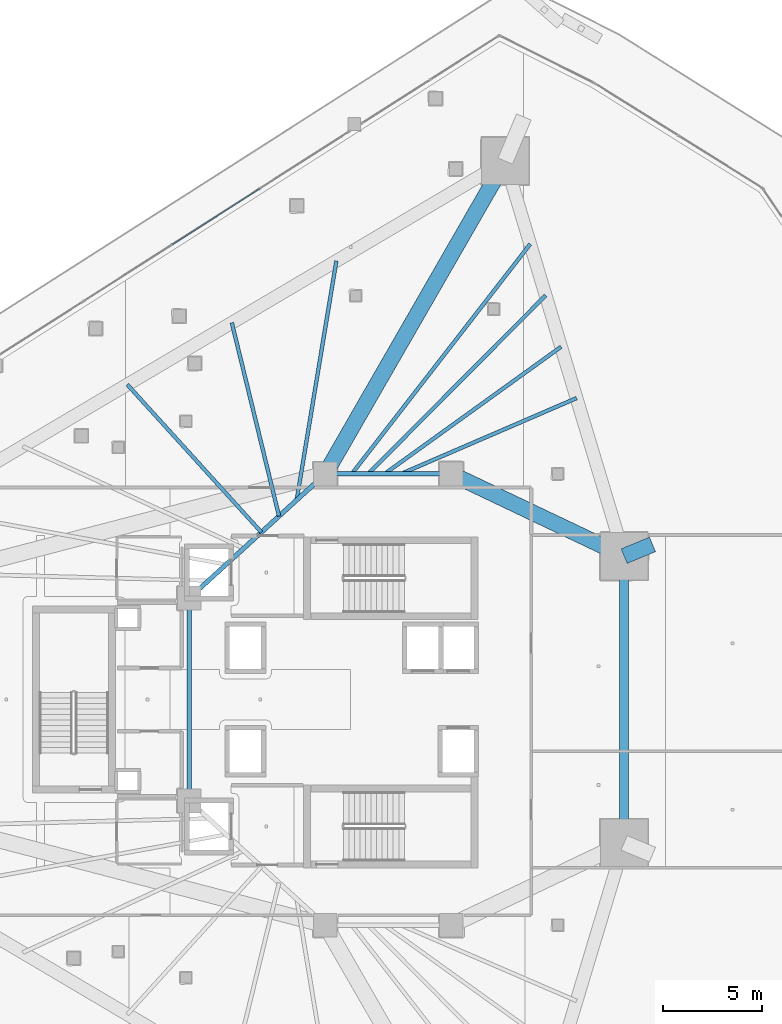
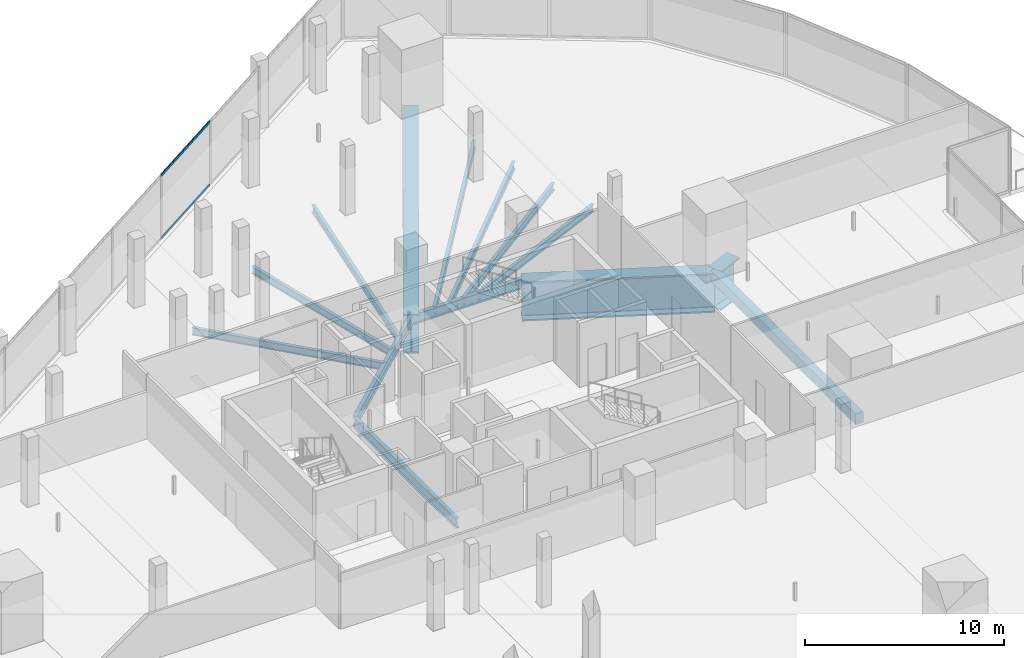
# One storey, part 19 of 42: 14 beams, 2 members, 1 element without a shape of its own.
"""IFC4 building model written with IfcOpenShell, lengths in metres."""

import ifcopenshell
import ifcopenshell.guid

model = None  # the IFC model being written
_history = None  # IfcOwnerHistory: only IFC2X3 demands one
_inside = {}  # id of a spatial element -> (the spatial element, [elements in it])
_under = {}  # id of a project, library or spatial element -> (it, [spatial elements below it])
_declared = {}  # id of a project -> (the project, [libraries it declares])
_typed = {}  # id of a type object -> (the type object, [elements of that type])
_made_of = {}  # id of a material, layer set ... -> (it, [elements and type objects made of it])


def new_model(schema):
    """Start an empty IFC model of exactly this schema.

    Asked for "IFC4X3", IfcOpenShell would pick the latest addendum, in which some entities
    have other attributes; the version numbers below select the first issue.
    IFC2X3 requires an IfcOwnerHistory on every rooted entity: one is made here for all.
    """
    global model, _history
    if schema == "IFC4X3":
        model = ifcopenshell.file(schema_version=(4, 3, 0, 0))
    else:
        model = ifcopenshell.file(schema=schema)
    _inside.clear()
    _under.clear()
    _declared.clear()
    _typed.clear()
    _made_of.clear()
    _history = None
    if model.schema == "IFC2X3":
        org = make("IfcOrganization", Name="unknown")
        user = make(
            "IfcPersonAndOrganization",
            ThePerson=make("IfcPerson", FamilyName="unknown"),
            TheOrganization=org,
        )
        app = make(
            "IfcApplication",
            ApplicationDeveloper=org,
            Version="unknown",
            ApplicationFullName="unknown",
            ApplicationIdentifier="unknown",
        )
        _history = make(
            "IfcOwnerHistory",
            OwningUser=user,
            OwningApplication=app,
            ChangeAction="ADDED",
            CreationDate=0,
        )
    return model


def make(cls, **values):
    """One entity of the class cls with the attributes given. An attribute that is None is left unset."""
    return model.create_entity(
        cls, **{name: value for name, value in values.items() if value is not None}
    )


def rooted(cls, **values):
    """An entity with a GlobalId (a new one), such as an element, a storey or a relation."""
    return make(cls, GlobalId=ifcopenshell.guid.new(), OwnerHistory=_history, **values)


def si_unit(unit_type, name, prefix=None):
    """IfcSIUnit, for example si_unit("LENGTHUNIT", "METRE", prefix="MILLI")."""
    return make("IfcSIUnit", UnitType=unit_type, Prefix=prefix, Name=name)


def assignment(units):
    """IfcUnitAssignment: the units of a project."""
    return None if units is None else make("IfcUnitAssignment", Units=units)


def point(xyz):
    """IfcCartesianPoint."""
    return None if xyz is None else make("IfcCartesianPoint", Coordinates=xyz)


def direction(xyz):
    """IfcDirection."""
    return None if xyz is None else make("IfcDirection", DirectionRatios=xyz)


def frame(location, z_axis=None, x_axis=None):
    """IfcAxis2Placement3D, a coordinate frame: its origin and axes. An axis left out is left unset."""
    return make(
        "IfcAxis2Placement3D",
        Location=point(location),
        Axis=direction(z_axis),
        RefDirection=direction(x_axis),
    )


def frame_2d(location, x_axis=None):
    """IfcAxis2Placement2D, a coordinate frame in the plane: its origin and x axis."""
    return make(
        "IfcAxis2Placement2D", Location=point(location), RefDirection=direction(x_axis)
    )


def origin():
    """The frame at (0, 0, 0) with its axes left unset."""
    return frame((0.0, 0.0, 0.0))


def origin_2d():
    """The frame at (0, 0) in the plane with its x axis left unset."""
    return frame_2d((0.0, 0.0))


def place(relative_to, where):
    """IfcLocalPlacement: puts the frame where relative to a parent placement (None: the world)."""
    return make(
        "IfcLocalPlacement", PlacementRelTo=relative_to, RelativePlacement=where
    )


def context(
    kind, dimensions, precision=None, world=None, true_north=None, identifier=None
):
    """IfcGeometricRepresentationContext, for example the 3D "Model" context."""
    return make(
        "IfcGeometricRepresentationContext",
        ContextIdentifier=identifier,
        ContextType=kind,
        CoordinateSpaceDimension=dimensions,
        Precision=precision,
        WorldCoordinateSystem=world,
        TrueNorth=true_north,
    )


def subcontext(parent, identifier, kind, view, scale=None):
    """IfcGeometricRepresentationSubContext, for example "Body" below "Model"."""
    return make(
        "IfcGeometricRepresentationSubContext",
        ContextIdentifier=identifier,
        ContextType=kind,
        ParentContext=parent,
        TargetScale=scale,
        TargetView=view,
    )


def project(units=None, contexts=None):
    """IfcProject with its units and contexts."""
    return rooted(
        "IfcProject",
        Name="project",
        RepresentationContexts=contexts,
        UnitsInContext=assignment(units),
    )


def spatial(cls, under=None, at=None, **own):
    """A site, building, storey or space (cls), placed at a placement, below another one or the project."""
    s = rooted(cls, ObjectPlacement=at, **own)
    if under is not None:
        _under.setdefault(under.id(), (under, []))[1].append(s)
    return s


def profile(cls, at=None, kind="AREA", **sizes):
    """A parametric profile (cls). Its sizes go by their IFC names, for example OverallWidth=200.0."""
    return make(cls, ProfileType=kind, Position=at, **sizes)


def rectangle(**sizes):
    """IfcRectangleProfileDef."""
    return profile("IfcRectangleProfileDef", **sizes)


def hollow_rectangle(**sizes):
    """IfcRectangleHollowProfileDef."""
    return profile("IfcRectangleHollowProfileDef", **sizes)


def i_section(**sizes):
    """IfcIShapeProfileDef."""
    return profile("IfcIShapeProfileDef", **sizes)


def extrude(swept, where, along, depth):
    """IfcExtrudedAreaSolid: the profile swept, set in the frame where, extruded along a direction by depth."""
    return make(
        "IfcExtrudedAreaSolid",
        SweptArea=swept,
        Position=where,
        ExtrudedDirection=direction(along),
        Depth=depth,
    )


def shape(context_of_items, identifier, shape_type, items):
    """IfcShapeRepresentation: the items that make up one representation, for example the "Body"."""
    return make(
        "IfcShapeRepresentation",
        ContextOfItems=context_of_items,
        RepresentationIdentifier=identifier,
        RepresentationType=shape_type,
        Items=items,
    )


def material(Name=None, Category=None):
    """IfcMaterial."""
    return make("IfcMaterial", Name=Name, Category=Category)


def layer(
    of_material, thickness, ventilated=None, Name=None, Category=None, Priority=None
):
    """IfcMaterialLayer: one layer of a wall or slab, of a material (None: an air gap)."""
    return make(
        "IfcMaterialLayer",
        Material=of_material,
        LayerThickness=thickness,
        IsVentilated=ventilated,
        Name=Name,
        Category=Category,
        Priority=Priority,
    )


def layer_set(layers, Name=None):
    """IfcMaterialLayerSet."""
    return make("IfcMaterialLayerSet", MaterialLayers=layers, LayerSetName=Name)


def material_profile(
    of_material, cross_section, Name=None, Category=None, Priority=None
):
    """IfcMaterialProfile: a cross section and its material."""
    return make(
        "IfcMaterialProfile",
        Name=Name,
        Material=of_material,
        Profile=cross_section,
        Priority=Priority,
        Category=Category,
    )


def profile_set(profiles, Name=None, composite=None):
    """IfcMaterialProfileSet."""
    return make(
        "IfcMaterialProfileSet",
        Name=Name,
        MaterialProfiles=profiles,
        CompositeProfile=composite,
    )


def made_of(thing, what):
    """Note that an element or type object is made of a material, layer set ...; save() writes the relation."""
    if what is not None:
        _made_of.setdefault(what.id(), (what, []))[1].append(thing)
    return thing


def type_object(cls, material=None, **own):
    """A type object (cls), such as IfcWallType, which elements share."""
    return made_of(rooted(cls, **own), material)


def element(
    cls,
    number,
    at=None,
    inside=None,
    cuts=None,
    type_object=None,
    material=None,
    context=None,
    identifier="Body",
    shape_type=None,
    held_by="IfcProductDefinitionShape",
    body=None,
    shapes=None,
    **own,
):
    """One element of the class cls, such as IfcWall. Its Tag is "e" and its number.

    at: its placement. inside: the storey or other place that contains it. cuts: it is an
    opening in that element (IfcRelVoidsElement). A single representation is given by context,
    identifier, shape_type and body (its items); several are given by shapes. held_by: the class
    of the entity that holds the representations. save() writes the other relations.
    """
    e = rooted(cls, Tag="e%d" % number, ObjectPlacement=at, **own)
    if body is not None:
        shapes = [shape(context, identifier, shape_type, body)]
    if shapes is not None:
        e.Representation = make(held_by, Representations=shapes)
    if inside is not None:
        _inside.setdefault(inside.id(), (inside, []))[1].append(e)
    if cuts is not None:
        rooted(
            "IfcRelVoidsElement", RelatingBuildingElement=cuts, RelatedOpeningElement=e
        )
    if type_object is not None:
        _typed.setdefault(type_object.id(), (type_object, []))[1].append(e)
    return made_of(e, material)


def aggregate(whole, parts):
    """IfcRelAggregates: a whole, such as a stair, and the parts it consists of."""
    return rooted("IfcRelAggregates", RelatingObject=whole, RelatedObjects=parts)


def save(model, path):
    """Write the relations noted so far, then the file.

    IfcRelAggregates (storeys below a building ...), IfcRelContainedInSpatialStructure (elements
    in a storey), IfcRelDefinesByType, IfcRelAssociatesMaterial and IfcRelDeclares: one each for
    every whole, place, type object, material and project.
    """
    for whole, parts in _under.values():
        aggregate(whole, parts)
    for where, things in _inside.values():
        rooted(
            "IfcRelContainedInSpatialStructure",
            RelatedElements=things,
            RelatingStructure=where,
        )
    for kind, things in _typed.values():
        rooted("IfcRelDefinesByType", RelatedObjects=things, RelatingType=kind)
    for what, things in _made_of.values():
        rooted("IfcRelAssociatesMaterial", RelatedObjects=things, RelatingMaterial=what)
    for by, libraries in _declared.values():
        rooted("IfcRelDeclares", RelatingContext=by, RelatedDefinitions=libraries)
    model.write(path)


model = new_model("IFC4")

# Units and contexts
model_context = context("Model", 3, precision=1e-05, world=origin(), true_north=direction((0.0, 1.0)))
body_context = subcontext(model_context, "Body", "Model", "MODEL_VIEW")
ifc_project = project(units=[si_unit("LENGTHUNIT", "METRE"), si_unit("AREAUNIT", "SQUARE_METRE"), si_unit("VOLUMEUNIT", "CUBIC_METRE"), si_unit("PLANEANGLEUNIT", "RADIAN"), si_unit("MASSUNIT", "GRAM", prefix="KILO")], contexts=[model_context])

# Site, building, storey
site_placement = place(None, origin())
site = spatial("IfcSite", under=ifc_project, at=site_placement, CompositionType="ELEMENT")
building_placement = place(site_placement, origin())
building = spatial("IfcBuilding", under=site, at=building_placement, Name="Qorvath Tower", CompositionType="ELEMENT")
storey_placement = place(building_placement, frame((0.0, 0.0, 32.39990234375)))
storey = spatial("IfcBuildingStorey", under=building, at=storey_placement, Name="L06", CompositionType="ELEMENT", Elevation=32.39990234375)

# Beams
ifc_material_1 = material(Name="Steel ASTM A992 Grade 50", Category="steel")
ifc_material_profile_1 = material_profile(ifc_material_1, i_section(OverallWidth=0.22998046875, OverallDepth=0.616943359375, WebThickness=0.01318359375, FlangeThickness=0.022216796875, FilletRadius=0.014892578125, at=origin_2d()), Name="W24x94")
ifc_profile_set_1 = profile_set([ifc_material_profile_1], Name="Steel ASTM A992 Grade 50")
beam_type_1 = type_object("IfcBeamType", Name="BM-FG6", PredefinedType="BEAM", material=ifc_profile_set_1)
beam_1_placement = place(storey_placement, frame((-23.60009765625, 11.449951171875, -0.58837890625), z_axis=(1.0, 0.0, 0.0), x_axis=(0.0, 1.0, 0.0)))
element("IfcBeam", 1, at=beam_1_placement, inside=storey, type_object=beam_type_1, Name="Core Ring Girder CC1-CC2 L06", PredefinedType="BEAM", context=body_context, shape_type="SweptSolid", body=[
    extrude(i_section(OverallWidth=0.22998046875, OverallDepth=0.616943359375, WebThickness=0.01318359375, FlangeThickness=0.022216796875, FilletRadius=0.014892578125, at=origin_2d()), origin(), (0.0, 0.0, 1.0), 6.400146484375),
])
beam_2_placement = place(storey_placement, frame((-30.5, -5.14990234375, -0.58837890625), z_axis=(0.0, 1.0, 0.0), x_axis=(-1.0, 0.0, 0.0)))
element("IfcBeam", 2, at=beam_2_placement, inside=storey, type_object=beam_type_1, Name="Core Ring Girder CC6-CC5 L06", PredefinedType="BEAM", context=body_context, shape_type="SweptSolid", body=[
    extrude(i_section(OverallWidth=0.22998046875, OverallDepth=0.616943359375, WebThickness=0.01318359375, FlangeThickness=0.022216796875, FilletRadius=0.014892578125, at=origin_2d()), origin(), (0.0, 0.0, 1.0), 10.2998046875),
])
beam_3_placement = place(storey_placement, frame((-30.5, 5.14990234375, -0.58837890625), z_axis=(0.73847813985, 0.6742774184, 0.0), x_axis=(-0.6742774184, 0.73847813985, 0.0)))
element("IfcBeam", 3, at=beam_3_placement, inside=storey, type_object=beam_type_1, Name="Core Ring Girder CC5-CC1 L06", PredefinedType="BEAM", context=body_context, shape_type="SweptSolid", body=[
    extrude(i_section(OverallWidth=0.22998046875, OverallDepth=0.616943359375, WebThickness=0.01318359375, FlangeThickness=0.022216796875, FilletRadius=0.014892578125, at=origin_2d()), origin(), (0.0, 0.0, 1.0), 9.343505859375),
])
ifc_material_2 = material(Name="Steel ASTM A992 Grade 50", Category="steel")
ifc_material_profile_2 = material_profile(ifc_material_2, i_section(OverallWidth=0.18994140625, OverallDepth=0.45703125, WebThickness=0.009033203125, FlangeThickness=0.014404296875, FilletRadius=0.011962890625, at=origin_2d()), Name="W18x50")
ifc_profile_set_2 = profile_set([ifc_material_profile_2], Name="Steel ASTM A992 Grade 50")
beam_type_2 = type_object("IfcBeamType", Name="BM-FJ2", PredefinedType="JOIST", material=ifc_profile_set_2)
beam_4_placement = place(storey_placement, frame((-19.760009765625, 11.449951171875, -0.50830078125), z_axis=(0.918135537923, 0.396266493667, 0.0), x_axis=(-0.396266493667, 0.918135537923, 0.0)))
element("IfcBeam", 4, at=beam_4_placement, inside=storey, type_object=beam_type_2, Name="Composite Floor Joist NE3 L06", PredefinedType="JOIST", context=body_context, shape_type="SweptSolid", body=[
    extrude(i_section(OverallWidth=0.18994140625, OverallDepth=0.45703125, WebThickness=0.009033203125, FlangeThickness=0.014404296875, FilletRadius=0.011962890625, at=origin_2d()), origin(), (0.0, 0.0, 1.0), 9.7109375),
])
beam_5_placement = place(storey_placement, frame((-20.592041015625, 11.449951171875, -0.50830078125), z_axis=(0.811469358397, 0.584394969505, 0.0), x_axis=(-0.584394969505, 0.811469358397, 0.0)))
element("IfcBeam", 5, at=beam_5_placement, inside=storey, type_object=beam_type_2, Name="Composite Floor Joist NE4 L06", PredefinedType="JOIST", context=body_context, shape_type="SweptSolid", body=[
    extrude(i_section(OverallWidth=0.18994140625, OverallDepth=0.45703125, WebThickness=0.009033203125, FlangeThickness=0.014404296875, FilletRadius=0.011962890625, at=origin_2d()), origin(), (0.0, 0.0, 1.0), 11.046142578125),
])
beam_6_placement = place(storey_placement, frame((-21.424072265625, 11.449951171875, -0.50830078125), z_axis=(0.705107654599, 0.709100271771, 0.0), x_axis=(-0.709100271771, 0.705107654599, 0.0)))
element("IfcBeam", 6, at=beam_6_placement, inside=storey, type_object=beam_type_2, Name="Composite Floor Joist NE5 L06", PredefinedType="JOIST", context=body_context, shape_type="SweptSolid", body=[
    extrude(i_section(OverallWidth=0.18994140625, OverallDepth=0.45703125, WebThickness=0.009033203125, FlangeThickness=0.014404296875, FilletRadius=0.011962890625, at=origin_2d()), origin(), (0.0, 0.0, 1.0), 12.780029296875),
])
beam_7_placement = place(storey_placement, frame((-22.256103515625, 11.449951171875, -0.50830078125), z_axis=(0.613206963859, 0.789922286984, 0.0), x_axis=(-0.789922286984, 0.613206963859, 0.0)))
element("IfcBeam", 7, at=beam_7_placement, inside=storey, type_object=beam_type_2, Name="Composite Floor Joist NE6 L06", PredefinedType="JOIST", context=body_context, shape_type="SweptSolid", body=[
    extrude(i_section(OverallWidth=0.18994140625, OverallDepth=0.45703125, WebThickness=0.009033203125, FlangeThickness=0.014404296875, FilletRadius=0.011962890625, at=origin_2d()), origin(), (0.0, 0.0, 1.0), 14.77294921875),
])
beam_8_placement = place(storey_placement, frame((-26.843017578125, 8.489013671875, -0.50830078125), z_axis=(-0.672128980215, 0.740434084815, 0.0), x_axis=(-0.740434084815, -0.672128980215, 0.0)))
element("IfcBeam", 8, at=beam_8_placement, inside=storey, type_object=beam_type_2, Name="Composite Floor Joist NW4 L06", PredefinedType="JOIST", context=body_context, shape_type="SweptSolid", body=[
    extrude(i_section(OverallWidth=0.18994140625, OverallDepth=0.45703125, WebThickness=0.009033203125, FlangeThickness=0.014404296875, FilletRadius=0.011962890625, at=origin_2d()), origin(), (0.0, 0.0, 1.0), 10.1259765625),
])
beam_9_placement = place(storey_placement, frame((-25.946044921875, 9.30810546875, -0.50830078125), z_axis=(-0.237165308581, 0.97146930801, 0.0), x_axis=(-0.97146930801, -0.237165308581, 0.0)))
element("IfcBeam", 9, at=beam_9_placement, inside=storey, type_object=beam_type_2, Name="Composite Floor Joist NW5 L06", PredefinedType="JOIST", context=body_context, shape_type="SweptSolid", body=[
    extrude(i_section(OverallWidth=0.18994140625, OverallDepth=0.45703125, WebThickness=0.009033203125, FlangeThickness=0.014404296875, FilletRadius=0.011962890625, at=origin_2d()), origin(), (0.0, 0.0, 1.0), 10.104736328125),
])
beam_10_placement = place(storey_placement, frame((-25.049072265625, 10.126953125, -0.50830078125), z_axis=(0.163639384475, 0.98652022374, 0.0), x_axis=(-0.98652022374, 0.163639384475, 0.0)))
element("IfcBeam", 10, at=beam_10_placement, inside=storey, type_object=beam_type_2, Name="Composite Floor Joist NW6 L06", PredefinedType="JOIST", context=body_context, shape_type="SweptSolid", body=[
    extrude(i_section(OverallWidth=0.18994140625, OverallDepth=0.45703125, WebThickness=0.009033203125, FlangeThickness=0.014404296875, FilletRadius=0.011962890625, at=origin_2d()), origin(), (0.0, 0.0, 1.0), 12.301025390625),
])
ifc_material_3 = material(Name="Concrete C45/55", Category="concrete")
ifc_material_profile_3 = material_profile(ifc_material_3, rectangle(XDim=0.449951171875, YDim=0.64990234375, at=origin_2d()), Name="RCB 650x450")
ifc_profile_set_3 = profile_set([ifc_material_profile_3], Name="Concrete C45/55")
beam_type_3 = type_object("IfcBeamType", Name="BM-RCB4", PredefinedType="LINTEL", material=ifc_profile_set_3)
beam_11_placement = place(storey_placement, frame((-8.430419921875, -7.2763671875, -0.604736328125), z_axis=(0.0, 1.0, 0.0), x_axis=(-1.0, 0.0, 0.0)))
element("IfcBeam", 11, at=beam_11_placement, inside=storey, type_object=beam_type_3, Name="Slot Portal Lintel Beam L06", PredefinedType="LINTEL", context=body_context, shape_type="SweptSolid", body=[
    extrude(rectangle(XDim=0.449951171875, YDim=0.64990234375, at=origin_2d()), origin(), (0.0, 0.0, 1.0), 14.552734375),
])
ifc_material_4 = material(Name="Steel ASTM A572 Grade 50", Category="steel")
ifc_material_profile_4 = material_profile(ifc_material_4, i_section(OverallWidth=0.800048828125, OverallDepth=2.39990234375, WebThickness=0.044921875, FlangeThickness=0.090087890625, FilletRadius=0.02490234375, at=origin_2d()), Name="WTG 2400x800")
ifc_profile_set_4 = profile_set([ifc_material_profile_4], Name="Steel ASTM A572 Grade 50")
beam_type_4 = type_object("IfcBeamType", Name="BM-TG2", PredefinedType="BEAM", material=ifc_profile_set_4)
beam_12_placement = place(storey_placement, frame((-6.991943359375, 7.8720703125, -1.479736328125), z_axis=(-0.923909816921, -0.382610311149, 0.0), x_axis=(0.382610311149, -0.923909816921, 0.0)))
element("IfcBeam", 12, at=beam_12_placement, inside=storey, type_object=beam_type_4, Name="Zone Step Transfer Tie MC5 L06", PredefinedType="BEAM", context=body_context, shape_type="SweptSolid", body=[
    extrude(i_section(OverallWidth=0.800048828125, OverallDepth=2.39990234375, WebThickness=0.044921875, FlangeThickness=0.090087890625, FilletRadius=0.02490234375, at=origin_2d()), origin(), (0.0, 0.0, 1.0), 1.556884765625),
])
beam_13_placement = place(storey_placement, frame((-8.430419921875, 7.2763671875, -1.479736328125), z_axis=(-0.902955751435, 0.429733534821, 0.0), x_axis=(-0.429733534821, -0.902955751435, 0.0)))
element("IfcBeam", 13, at=beam_13_placement, inside=storey, type_object=beam_type_4, Name="Zone Step Transfer Girder CC2-MC5 L06", PredefinedType="BEAM", context=body_context, shape_type="SweptSolid", body=[
    extrude(i_section(OverallWidth=0.800048828125, OverallDepth=2.39990234375, WebThickness=0.044921875, FlangeThickness=0.090087890625, FilletRadius=0.02490234375, at=origin_2d()), origin(), (0.0, 0.0, 1.0), 9.7119140625),
])
beam_14_placement = place(storey_placement, frame((-14.46435546875, 27.330810546875, -1.479736328125), z_axis=(-0.498645367714, -0.866806089767, 0.0), x_axis=(0.866806089767, -0.498645367714, 0.0)))
element("IfcBeam", 14, at=beam_14_placement, inside=storey, type_object=beam_type_4, Name="Zone Step Transfer Girder CC1-MC6 L06", PredefinedType="BEAM", context=body_context, shape_type="SweptSolid", body=[
    extrude(i_section(OverallWidth=0.800048828125, OverallDepth=2.39990234375, WebThickness=0.044921875, FlangeThickness=0.090087890625, FilletRadius=0.02490234375, at=origin_2d()), origin(), (0.0, 0.0, 1.0), 18.321044921875),
])

# Curtain wall, members
ifc_material_5 = material(Name="Anodised aluminium and triple low-E glass", Category="aluminium")
ifc_layer = layer(ifc_material_5, 0.179931640625)
ifc_layer_set = layer_set([ifc_layer], Name="CW-SYS-2")
curtain_wall_type = type_object("IfcCurtainWallType", Name="CW-SYS-2", PredefinedType="NOTDEFINED", material=ifc_layer_set)
curtain_wall_placement = place(storey_placement, origin())
curtain_wall = element("IfcCurtainWall", 15, at=curtain_wall_placement, inside=storey, type_object=curtain_wall_type, Name="Curtain Wall CW-2 CW-T-L06-16.2", PredefinedType="NOTDEFINED")
ifc_material_6 = material(Name="Anodised aluminium 6063-T6", Category="aluminium")
ifc_material_profile_5 = material_profile(ifc_material_6, hollow_rectangle(XDim=0.06494140625, YDim=0.159912109375, WallThickness=0.00341796875, InnerFilletRadius=0.00341796875, OuterFilletRadius=0.007080078125, at=origin_2d()), Name="CWT 160x65")
ifc_profile_set_5 = profile_set([ifc_material_profile_5], Name="Anodised aluminium 6063-T6")
member_type = type_object("IfcMemberType", Name="CWT-160", PredefinedType="USERDEFINED", material=ifc_profile_set_5)
member_1_placement = place(storey_placement, frame((-26.905517578125, 25.940673828125, 0.032470703125), z_axis=(-0.842604728555, -0.538532516582, 0.0), x_axis=(0.538532516582, -0.842604728555, 0.0)))
member_1 = element("IfcMember", 16, at=member_1_placement, type_object=member_type, Name="CW-2 transom 2.1", ObjectType="TRANSOM", PredefinedType="USERDEFINED", context=body_context, shape_type="SweptSolid", body=[
    extrude(hollow_rectangle(XDim=0.06494140625, YDim=0.159912109375, WallThickness=0.00341796875, InnerFilletRadius=0.00341796875, OuterFilletRadius=0.007080078125, at=origin_2d()), origin(), (0.0, 0.0, 1.0), 5.2783203125),
])
member_2_placement = place(storey_placement, frame((-26.905517578125, 25.940673828125, 3.8876953125), z_axis=(-0.842604728555, -0.538532516582, 0.0), x_axis=(0.538532516582, -0.842604728555, 0.0)))
member_2 = element("IfcMember", 17, at=member_2_placement, type_object=member_type, Name="CW-2 transom 2.2", ObjectType="TRANSOM", PredefinedType="USERDEFINED", context=body_context, shape_type="SweptSolid", body=[
    extrude(hollow_rectangle(XDim=0.06494140625, YDim=0.159912109375, WallThickness=0.00341796875, InnerFilletRadius=0.00341796875, OuterFilletRadius=0.007080078125, at=origin_2d()), origin(), (0.0, 0.0, 1.0), 5.2783203125),
])
aggregate(curtain_wall, [member_1, member_2])

save(model, "model.ifc")
